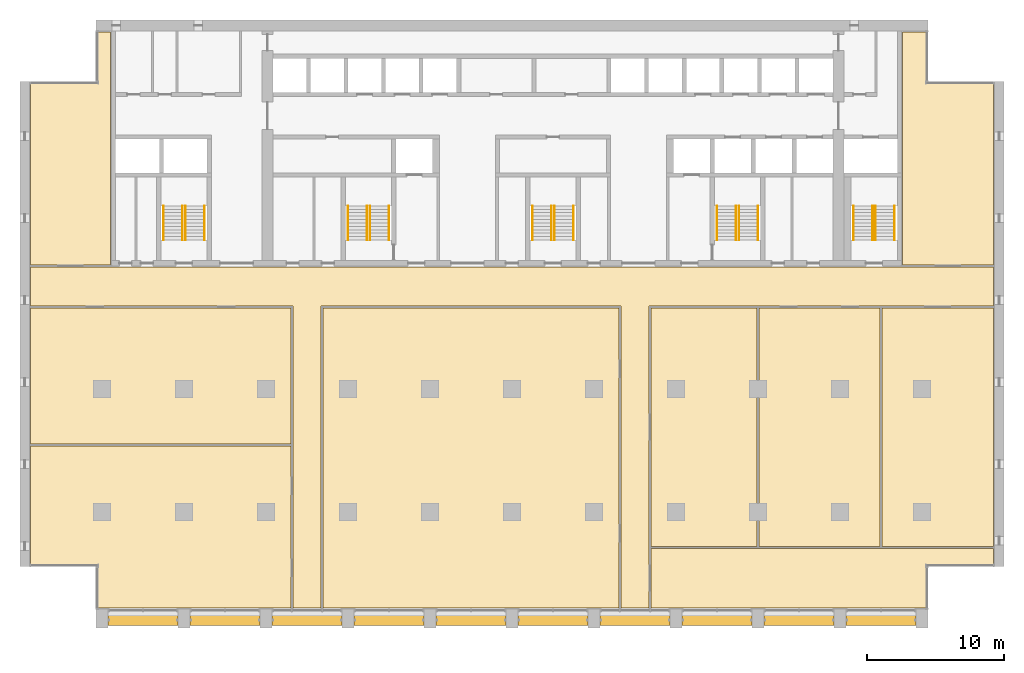
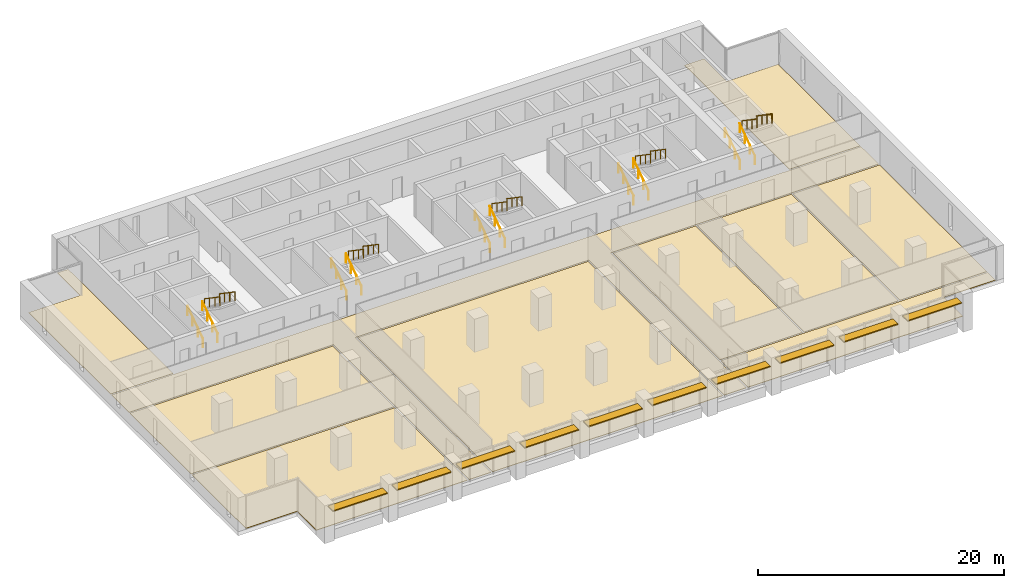
# One storey, part 15 of 15: 20 railings, 10 coverings, 10 shading devices, 5 elements without a shape of their own.
"""IFC4 building model written with IfcOpenShell, lengths in metres."""

import ifcopenshell
import ifcopenshell.guid

model = None  # the IFC model being written
_history = None  # IfcOwnerHistory: only IFC2X3 demands one
_inside = {}  # id of a spatial element -> (the spatial element, [elements in it])
_under = {}  # id of a project, library or spatial element -> (it, [spatial elements below it])
_declared = {}  # id of a project -> (the project, [libraries it declares])
_typed = {}  # id of a type object -> (the type object, [elements of that type])
_made_of = {}  # id of a material, layer set ... -> (it, [elements and type objects made of it])


def new_model(schema):
    """Start an empty IFC model of exactly this schema.

    Asked for "IFC4X3", IfcOpenShell would pick the latest addendum, in which some entities
    have other attributes; the version numbers below select the first issue.
    IFC2X3 requires an IfcOwnerHistory on every rooted entity: one is made here for all.
    """
    global model, _history
    if schema == "IFC4X3":
        model = ifcopenshell.file(schema_version=(4, 3, 0, 0))
    else:
        model = ifcopenshell.file(schema=schema)
    _inside.clear()
    _under.clear()
    _declared.clear()
    _typed.clear()
    _made_of.clear()
    _history = None
    if model.schema == "IFC2X3":
        org = make("IfcOrganization", Name="unknown")
        user = make(
            "IfcPersonAndOrganization",
            ThePerson=make("IfcPerson", FamilyName="unknown"),
            TheOrganization=org,
        )
        app = make(
            "IfcApplication",
            ApplicationDeveloper=org,
            Version="unknown",
            ApplicationFullName="unknown",
            ApplicationIdentifier="unknown",
        )
        _history = make(
            "IfcOwnerHistory",
            OwningUser=user,
            OwningApplication=app,
            ChangeAction="ADDED",
            CreationDate=0,
        )
    return model


def make(cls, **values):
    """One entity of the class cls with the attributes given. An attribute that is None is left unset."""
    return model.create_entity(
        cls, **{name: value for name, value in values.items() if value is not None}
    )


def rooted(cls, **values):
    """An entity with a GlobalId (a new one), such as an element, a storey or a relation."""
    return make(cls, GlobalId=ifcopenshell.guid.new(), OwnerHistory=_history, **values)


def si_unit(unit_type, name, prefix=None):
    """IfcSIUnit, for example si_unit("LENGTHUNIT", "METRE", prefix="MILLI")."""
    return make("IfcSIUnit", UnitType=unit_type, Prefix=prefix, Name=name)


def assignment(units):
    """IfcUnitAssignment: the units of a project."""
    return None if units is None else make("IfcUnitAssignment", Units=units)


def point(xyz):
    """IfcCartesianPoint."""
    return None if xyz is None else make("IfcCartesianPoint", Coordinates=xyz)


def direction(xyz):
    """IfcDirection."""
    return None if xyz is None else make("IfcDirection", DirectionRatios=xyz)


def frame(location, z_axis=None, x_axis=None):
    """IfcAxis2Placement3D, a coordinate frame: its origin and axes. An axis left out is left unset."""
    return make(
        "IfcAxis2Placement3D",
        Location=point(location),
        Axis=direction(z_axis),
        RefDirection=direction(x_axis),
    )


def frame_2d(location, x_axis=None):
    """IfcAxis2Placement2D, a coordinate frame in the plane: its origin and x axis."""
    return make(
        "IfcAxis2Placement2D", Location=point(location), RefDirection=direction(x_axis)
    )


def origin():
    """The frame at (0, 0, 0) with its axes left unset."""
    return frame((0.0, 0.0, 0.0))


def origin_2d():
    """The frame at (0, 0) in the plane with its x axis left unset."""
    return frame_2d((0.0, 0.0))


def place(relative_to, where):
    """IfcLocalPlacement: puts the frame where relative to a parent placement (None: the world)."""
    return make(
        "IfcLocalPlacement", PlacementRelTo=relative_to, RelativePlacement=where
    )


def context(
    kind, dimensions, precision=None, world=None, true_north=None, identifier=None
):
    """IfcGeometricRepresentationContext, for example the 3D "Model" context."""
    return make(
        "IfcGeometricRepresentationContext",
        ContextIdentifier=identifier,
        ContextType=kind,
        CoordinateSpaceDimension=dimensions,
        Precision=precision,
        WorldCoordinateSystem=world,
        TrueNorth=true_north,
    )


def subcontext(parent, identifier, kind, view, scale=None):
    """IfcGeometricRepresentationSubContext, for example "Body" below "Model"."""
    return make(
        "IfcGeometricRepresentationSubContext",
        ContextIdentifier=identifier,
        ContextType=kind,
        ParentContext=parent,
        TargetScale=scale,
        TargetView=view,
    )


def project(units=None, contexts=None):
    """IfcProject with its units and contexts."""
    return rooted(
        "IfcProject",
        Name="project",
        RepresentationContexts=contexts,
        UnitsInContext=assignment(units),
    )


def spatial(cls, under=None, at=None, **own):
    """A site, building, storey or space (cls), placed at a placement, below another one or the project."""
    s = rooted(cls, ObjectPlacement=at, **own)
    if under is not None:
        _under.setdefault(under.id(), (under, []))[1].append(s)
    return s


def polyline(points):
    """IfcPolyline through the points."""
    return make("IfcPolyline", Points=[point(p) for p in points])


def profile(cls, at=None, kind="AREA", **sizes):
    """A parametric profile (cls). Its sizes go by their IFC names, for example OverallWidth=200.0."""
    return make(cls, ProfileType=kind, Position=at, **sizes)


def rectangle(**sizes):
    """IfcRectangleProfileDef."""
    return profile("IfcRectangleProfileDef", **sizes)


def circle(**sizes):
    """IfcCircleProfileDef."""
    return profile("IfcCircleProfileDef", **sizes)


def outline(outer, holes=None, kind="AREA"):
    """IfcArbitraryClosedProfileDef: a profile drawn as a closed curve; with holes, ...WithVoids."""
    if holes is None:
        return make("IfcArbitraryClosedProfileDef", ProfileType=kind, OuterCurve=outer)
    return make(
        "IfcArbitraryProfileDefWithVoids",
        ProfileType=kind,
        OuterCurve=outer,
        InnerCurves=holes,
    )


def extrude(swept, where, along, depth):
    """IfcExtrudedAreaSolid: the profile swept, set in the frame where, extruded along a direction by depth."""
    return make(
        "IfcExtrudedAreaSolid",
        SweptArea=swept,
        Position=where,
        ExtrudedDirection=direction(along),
        Depth=depth,
    )


def shape(context_of_items, identifier, shape_type, items):
    """IfcShapeRepresentation: the items that make up one representation, for example the "Body"."""
    return make(
        "IfcShapeRepresentation",
        ContextOfItems=context_of_items,
        RepresentationIdentifier=identifier,
        RepresentationType=shape_type,
        Items=items,
    )


def material(Name=None, Category=None):
    """IfcMaterial."""
    return make("IfcMaterial", Name=Name, Category=Category)


def layer(
    of_material, thickness, ventilated=None, Name=None, Category=None, Priority=None
):
    """IfcMaterialLayer: one layer of a wall or slab, of a material (None: an air gap)."""
    return make(
        "IfcMaterialLayer",
        Material=of_material,
        LayerThickness=thickness,
        IsVentilated=ventilated,
        Name=Name,
        Category=Category,
        Priority=Priority,
    )


def layer_set(layers, Name=None):
    """IfcMaterialLayerSet."""
    return make("IfcMaterialLayerSet", MaterialLayers=layers, LayerSetName=Name)


def material_profile(
    of_material, cross_section, Name=None, Category=None, Priority=None
):
    """IfcMaterialProfile: a cross section and its material."""
    return make(
        "IfcMaterialProfile",
        Name=Name,
        Material=of_material,
        Profile=cross_section,
        Priority=Priority,
        Category=Category,
    )


def profile_set(profiles, Name=None, composite=None):
    """IfcMaterialProfileSet."""
    return make(
        "IfcMaterialProfileSet",
        Name=Name,
        MaterialProfiles=profiles,
        CompositeProfile=composite,
    )


def made_of(thing, what):
    """Note that an element or type object is made of a material, layer set ...; save() writes the relation."""
    if what is not None:
        _made_of.setdefault(what.id(), (what, []))[1].append(thing)
    return thing


def type_object(cls, material=None, **own):
    """A type object (cls), such as IfcWallType, which elements share."""
    return made_of(rooted(cls, **own), material)


def element(
    cls,
    number,
    at=None,
    inside=None,
    cuts=None,
    type_object=None,
    material=None,
    context=None,
    identifier="Body",
    shape_type=None,
    held_by="IfcProductDefinitionShape",
    body=None,
    shapes=None,
    **own,
):
    """One element of the class cls, such as IfcWall. Its Tag is "e" and its number.

    at: its placement. inside: the storey or other place that contains it. cuts: it is an
    opening in that element (IfcRelVoidsElement). A single representation is given by context,
    identifier, shape_type and body (its items); several are given by shapes. held_by: the class
    of the entity that holds the representations. save() writes the other relations.
    """
    e = rooted(cls, Tag="e%d" % number, ObjectPlacement=at, **own)
    if body is not None:
        shapes = [shape(context, identifier, shape_type, body)]
    if shapes is not None:
        e.Representation = make(held_by, Representations=shapes)
    if inside is not None:
        _inside.setdefault(inside.id(), (inside, []))[1].append(e)
    if cuts is not None:
        rooted(
            "IfcRelVoidsElement", RelatingBuildingElement=cuts, RelatedOpeningElement=e
        )
    if type_object is not None:
        _typed.setdefault(type_object.id(), (type_object, []))[1].append(e)
    return made_of(e, material)


def aggregate(whole, parts):
    """IfcRelAggregates: a whole, such as a stair, and the parts it consists of."""
    return rooted("IfcRelAggregates", RelatingObject=whole, RelatedObjects=parts)


def save(model, path):
    """Write the relations noted so far, then the file.

    IfcRelAggregates (storeys below a building ...), IfcRelContainedInSpatialStructure (elements
    in a storey), IfcRelDefinesByType, IfcRelAssociatesMaterial and IfcRelDeclares: one each for
    every whole, place, type object, material and project.
    """
    for whole, parts in _under.values():
        aggregate(whole, parts)
    for where, things in _inside.values():
        rooted(
            "IfcRelContainedInSpatialStructure",
            RelatedElements=things,
            RelatingStructure=where,
        )
    for kind, things in _typed.values():
        rooted("IfcRelDefinesByType", RelatedObjects=things, RelatingType=kind)
    for what, things in _made_of.values():
        rooted("IfcRelAssociatesMaterial", RelatedObjects=things, RelatingMaterial=what)
    for by, libraries in _declared.values():
        rooted("IfcRelDeclares", RelatingContext=by, RelatedDefinitions=libraries)
    model.write(path)


model = new_model("IFC4")

# Units and contexts
model_context = context("Model", 3, precision=1e-05, world=origin(), true_north=direction((0.0, 1.0)))
body_context = subcontext(model_context, "Body", "Model", "MODEL_VIEW")
ifc_project = project(units=[si_unit("LENGTHUNIT", "METRE"), si_unit("AREAUNIT", "SQUARE_METRE"), si_unit("VOLUMEUNIT", "CUBIC_METRE"), si_unit("PLANEANGLEUNIT", "RADIAN"), si_unit("MASSUNIT", "GRAM", prefix="KILO")], contexts=[model_context])

# Site, building, storey
site_placement = place(None, origin())
site = spatial("IfcSite", under=ifc_project, at=site_placement, CompositionType="ELEMENT")
building_placement = place(site_placement, origin())
building = spatial("IfcBuilding", under=site, at=building_placement, Name="Calvaro Tower", CompositionType="ELEMENT")
storey_placement = place(building_placement, frame((0.0, 0.0, 132.5)))
storey = spatial("IfcBuildingStorey", under=building, at=storey_placement, Name="L33", CompositionType="ELEMENT", Elevation=132.5)

# Shading devices
ifc_material_1 = material(Name="Anodised aluminium", Category="aluminium")
ifc_material_profile = material_profile(ifc_material_1, rectangle(XDim=0.800048828125, YDim=0.10009765625, at=origin_2d()), Name="Brise-soleil blade 800 x 100")
ifc_profile_set = profile_set([ifc_material_profile], Name="Anodised aluminium")
shading_device_type = type_object("IfcShadingDeviceType", Name="Brise-soleil blade 800 x 100", PredefinedType="JALOUSIE", material=ifc_profile_set)
for number, where, z_axis, x_axis, name in (
    (1, (6.449951171875, 2.10009765625, 2.39990234375), (1.0, 0.0, 0.0), (0.0, 1.0, 0.0), "Brise-soleil blade 1"),
    (2, (12.449951171875, 2.10009765625, 2.39990234375), (1.0, 0.0, 0.0), (0.0, 1.0, 0.0), "Brise-soleil blade 2"),
    (3, (18.449951171875, 2.10009765625, 2.39990234375), (1.0, 0.0, 0.0), (0.0, 1.0, 0.0), "Brise-soleil blade 3"),
    (4, (24.449951171875, 2.10009765625, 2.39990234375), (1.0, 0.0, 0.0), (0.0, 1.0, 0.0), "Brise-soleil blade 4"),
    (5, (30.449951171875, 2.10009765625, 2.39990234375), (1.0, 0.0, 0.0), (0.0, 1.0, 0.0), "Brise-soleil blade 5"),
    (6, (36.449951171875, 2.10009765625, 2.39990234375), (1.0, 0.0, 0.0), (0.0, 1.0, 0.0), "Brise-soleil blade 6"),
    (7, (42.449951171875, 2.10009765625, 2.39990234375), (1.0, 0.0, 0.0), (0.0, 1.0, 0.0), "Brise-soleil blade 7"),
    (8, (48.449951171875, 2.10009765625, 2.39990234375), (1.0, 0.0, 0.0), (0.0, 1.0, 0.0), "Brise-soleil blade 8"),
    (9, (54.449951171875, 2.10009765625, 2.39990234375), (1.0, 0.0, 0.0), (0.0, 1.0, 0.0), "Brise-soleil blade 9"),
    (10, (60.449951171875, 2.10009765625, 2.39990234375), (1.0, 0.0, 0.0), (0.0, 1.0, 0.0), "Brise-soleil blade 10"),
):
    element("IfcShadingDevice", number, at=place(storey_placement, frame(where, z_axis=z_axis, x_axis=x_axis)), inside=storey, type_object=shading_device_type, Name=name, PredefinedType="JALOUSIE", context=body_context, shape_type="SweptSolid", body=[
        extrude(rectangle(XDim=0.800048828125, YDim=0.10009765625, at=origin_2d()), origin(), (0.0, 0.0, 1.0), 5.10009765625),
    ])

# Coverings
ifc_material_2 = material(Name="Cement screed with carpet tile finish")
ifc_layer = layer(ifc_material_2, 0.050048828125)
ifc_layer_set = layer_set([ifc_layer], Name="Cement screed with carpet tile finish")
covering_type = type_object("IfcCoveringType", Name="Floor finish 50", PredefinedType="FLOORING", material=ifc_layer_set)
covering_1_placement = place(storey_placement, origin())
element("IfcCovering", 11, at=covering_1_placement, inside=storey, type_object=covering_type, Name="Floor finish 20.01", PredefinedType="FLOORING", context=body_context, shape_type="SweptSolid", body=[
    extrude(outline(polyline([(19.969970703125, 2.969970703125), (19.969970703125, 25.070068359375), (0.77001953125, 25.070068359375), (0.77001953125, 27.929931640625), (71.22998046875, 27.929931640625), (71.22998046875, 25.070068359375), (46.030029296875, 25.070068359375), (46.030029296875, 2.969970703125), (43.969970703125, 2.969970703125), (43.969970703125, 25.070068359375), (22.030029296875, 25.070068359375), (22.030029296875, 2.969970703125), (19.969970703125, 2.969970703125)])), origin(), (0.0, 0.0, 1.0), 0.050048828125),
])
covering_2_placement = place(storey_placement, origin())
element("IfcCovering", 12, at=covering_2_placement, inside=storey, type_object=covering_type, Name="Floor finish 20.03", PredefinedType="FLOORING", context=body_context, shape_type="SweptSolid", body=[
    extrude(outline(polyline([(19.830078125, 14.830078125), (19.830078125, 2.969970703125), (5.6201171875, 2.969970703125), (5.6201171875, 6.070068359375), (0.77001953125, 6.070068359375), (0.77001953125, 14.830078125), (19.830078125, 14.830078125)])), origin(), (0.0, 0.0, 1.0), 0.050048828125),
])
covering_3_placement = place(storey_placement, origin())
element("IfcCovering", 13, at=covering_3_placement, inside=storey, type_object=covering_type, Name="Floor finish 20.08", PredefinedType="FLOORING", context=body_context, shape_type="SweptSolid", body=[
    extrude(outline(polyline([(19.830078125, 24.929931640625), (19.830078125, 14.969970703125), (0.77001953125, 14.969970703125), (0.77001953125, 24.929931640625), (19.830078125, 24.929931640625)])), origin(), (0.0, 0.0, 1.0), 0.050048828125),
])
covering_4_placement = place(storey_placement, origin())
element("IfcCovering", 14, at=covering_4_placement, inside=storey, type_object=covering_type, Name="Floor finish 20.04", PredefinedType="FLOORING", context=body_context, shape_type="SweptSolid", body=[
    extrude(outline(polyline([(22.169921875, 24.929931640625), (43.830078125, 24.929931640625), (43.830078125, 2.969970703125), (22.169921875, 2.969970703125), (22.169921875, 24.929931640625)])), origin(), (0.0, 0.0, 1.0), 0.050048828125),
])
covering_5_placement = place(storey_placement, origin())
element("IfcCovering", 15, at=covering_5_placement, inside=storey, type_object=covering_type, Name="Floor finish 20.02", PredefinedType="FLOORING", context=body_context, shape_type="SweptSolid", body=[
    extrude(outline(polyline([(71.22998046875, 6.070068359375), (66.3798828125, 6.070068359375), (66.3798828125, 2.969970703125), (46.169921875, 2.969970703125), (46.169921875, 7.330078125), (71.22998046875, 7.330078125), (71.22998046875, 6.070068359375)])), origin(), (0.0, 0.0, 1.0), 0.050048828125),
])
covering_6_placement = place(storey_placement, origin())
element("IfcCovering", 16, at=covering_6_placement, inside=storey, type_object=covering_type, Name="Floor finish 20.05", PredefinedType="FLOORING", context=body_context, shape_type="SweptSolid", body=[
    extrude(outline(polyline([(46.169921875, 7.469970703125), (46.169921875, 24.929931640625), (53.929931640625, 24.929931640625), (53.929931640625, 7.469970703125), (46.169921875, 7.469970703125)])), origin(), (0.0, 0.0, 1.0), 0.050048828125),
])
covering_7_placement = place(storey_placement, origin())
element("IfcCovering", 17, at=covering_7_placement, inside=storey, type_object=covering_type, Name="Floor finish 20.06", PredefinedType="FLOORING", context=body_context, shape_type="SweptSolid", body=[
    extrude(outline(polyline([(54.070068359375, 7.469970703125), (54.070068359375, 24.929931640625), (62.929931640625, 24.929931640625), (62.929931640625, 7.469970703125), (54.070068359375, 7.469970703125)])), origin(), (0.0, 0.0, 1.0), 0.050048828125),
])
covering_8_placement = place(storey_placement, origin())
element("IfcCovering", 18, at=covering_8_placement, inside=storey, type_object=covering_type, Name="Floor finish 20.07", PredefinedType="FLOORING", context=body_context, shape_type="SweptSolid", body=[
    extrude(outline(polyline([(71.22998046875, 7.469970703125), (63.070068359375, 7.469970703125), (63.070068359375, 24.929931640625), (71.22998046875, 24.929931640625), (71.22998046875, 7.469970703125)])), origin(), (0.0, 0.0, 1.0), 0.050048828125),
])
covering_9_placement = place(storey_placement, origin())
element("IfcCovering", 19, at=covering_9_placement, inside=storey, type_object=covering_type, Name="Floor finish 20.09", PredefinedType="FLOORING", context=body_context, shape_type="SweptSolid", body=[
    extrude(outline(polyline([(6.6298828125, 28.070068359375), (0.77001953125, 28.070068359375), (0.77001953125, 41.429931640625), (5.6201171875, 41.429931640625), (5.6201171875, 45.1298828125), (6.6298828125, 45.1298828125), (6.6298828125, 28.070068359375)])), origin(), (0.0, 0.0, 1.0), 0.050048828125),
])
covering_10_placement = place(storey_placement, origin())
element("IfcCovering", 20, at=covering_10_placement, inside=storey, type_object=covering_type, Name="Floor finish 20.10", PredefinedType="FLOORING", context=body_context, shape_type="SweptSolid", body=[
    extrude(outline(polyline([(71.22998046875, 28.070068359375), (64.570068359375, 28.070068359375), (64.570068359375, 45.1298828125), (66.3798828125, 45.1298828125), (66.3798828125, 41.429931640625), (71.22998046875, 41.429931640625), (71.22998046875, 28.070068359375)])), origin(), (0.0, 0.0, 1.0), 0.050048828125),
])

# Stair, railings
ifc_material_3 = material(Name="Concrete C40/50", Category="concrete")
stair_type = type_object("IfcStairType", Name="Exit stair 1400 2 flights", PredefinedType="HALF_TURN_STAIR", material=ifc_material_3)
stair_1_placement = place(storey_placement, origin())
stair_1 = element("IfcStair", 21, at=stair_1_placement, inside=storey, type_object=stair_type, Name="Exit stair S1", PredefinedType="HALF_TURN_STAIR")
ifc_material_4 = material(Name="Stainless steel", Category="steel")
railing_type = type_object("IfcRailingType", Name="Stair handrail", PredefinedType="HANDRAIL", material=ifc_material_4)
railing_1_placement = place(storey_placement, frame((11.89990234375, 29.89990234375, 0.17041015625)))
railing_1 = element("IfcRailing", 22, at=railing_1_placement, type_object=railing_type, Name="Exit stair 1 handrail", PredefinedType="HANDRAIL", context=body_context, shape_type="SweptSolid", body=[
    extrude(circle(Radius=0.02392578125, at=origin_2d()), frame((0.0, 0.0, 0.8759765625), z_axis=(0.0, 0.826220514629, 0.563346839174), x_axis=(-1.0, 0.0, 0.0)), (0.0, 0.0, 1.0), 3.02587890625),
    extrude(circle(Radius=0.02099609375, at=origin_2d()), frame((0.0, 0.017333984375, 0.01171875)), (0.0, 0.0, 1.0), 0.851806640625),
    extrude(circle(Radius=0.02099609375, at=origin_2d()), frame((0.0, 0.833251953125, 0.568115234375)), (0.0, 0.0, 1.0), 0.851806640625),
    extrude(circle(Radius=0.02099609375, at=origin_2d()), frame((0.0, 1.666748046875, 1.136474609375)), (0.0, 0.0, 1.0), 0.851806640625),
    extrude(circle(Radius=0.02099609375, at=origin_2d()), frame((0.0, 2.482666015625, 1.69287109375)), (0.0, 0.0, 1.0), 0.851806640625),
])
railing_2_placement = place(storey_placement, frame((10.5, 29.89990234375, 0.17041015625)))
railing_2 = element("IfcRailing", 23, at=railing_2_placement, type_object=railing_type, Name="Exit stair 1 handrail", PredefinedType="HANDRAIL", context=body_context, shape_type="SweptSolid", body=[
    extrude(circle(Radius=0.02392578125, at=origin_2d()), frame((0.0, 0.0, 0.8759765625), z_axis=(0.0, 0.826220514629, 0.563346839174), x_axis=(-1.0, 0.0, 0.0)), (0.0, 0.0, 1.0), 3.02587890625),
    extrude(circle(Radius=0.02099609375, at=origin_2d()), frame((0.0, 0.017333984375, 0.01171875)), (0.0, 0.0, 1.0), 0.851806640625),
    extrude(circle(Radius=0.02099609375, at=origin_2d()), frame((0.0, 0.833251953125, 0.568115234375)), (0.0, 0.0, 1.0), 0.851806640625),
    extrude(circle(Radius=0.02099609375, at=origin_2d()), frame((0.0, 1.666748046875, 1.136474609375)), (0.0, 0.0, 1.0), 0.851806640625),
    extrude(circle(Radius=0.02099609375, at=origin_2d()), frame((0.0, 2.482666015625, 1.69287109375)), (0.0, 0.0, 1.0), 0.851806640625),
])
railing_3_placement = place(storey_placement, frame((12.10009765625, 32.39990234375, 2.04541015625)))
railing_3 = element("IfcRailing", 24, at=railing_3_placement, type_object=railing_type, Name="Exit stair 1 handrail", PredefinedType="HANDRAIL", context=body_context, shape_type="SweptSolid", body=[
    extrude(circle(Radius=0.02392578125, at=origin_2d()), frame((0.0, 0.0, 0.8759765625), z_axis=(0.0, -0.826220514629, 0.563346839174), x_axis=(1.0, 0.0, 0.0)), (0.0, 0.0, 1.0), 3.02587890625),
    extrude(circle(Radius=0.02099609375, at=origin_2d()), frame((0.0, -0.017333984375, 0.01171875)), (0.0, 0.0, 1.0), 0.851806640625),
    extrude(circle(Radius=0.02099609375, at=origin_2d()), frame((0.0, -0.833251953125, 0.568115234375)), (0.0, 0.0, 1.0), 0.851806640625),
    extrude(circle(Radius=0.02099609375, at=origin_2d()), frame((0.0, -1.666748046875, 1.136474609375)), (0.0, 0.0, 1.0), 0.851806640625),
    extrude(circle(Radius=0.02099609375, at=origin_2d()), frame((0.0, -2.482666015625, 1.69287109375)), (0.0, 0.0, 1.0), 0.851806640625),
])
railing_4_placement = place(storey_placement, frame((13.5, 32.39990234375, 2.04541015625)))
railing_4 = element("IfcRailing", 25, at=railing_4_placement, type_object=railing_type, Name="Exit stair 1 handrail", PredefinedType="HANDRAIL", context=body_context, shape_type="SweptSolid", body=[
    extrude(circle(Radius=0.02392578125, at=origin_2d()), frame((0.0, 0.0, 0.8759765625), z_axis=(0.0, -0.826220514629, 0.563346839174), x_axis=(1.0, 0.0, 0.0)), (0.0, 0.0, 1.0), 3.02587890625),
    extrude(circle(Radius=0.02099609375, at=origin_2d()), frame((0.0, -0.017333984375, 0.01171875)), (0.0, 0.0, 1.0), 0.851806640625),
    extrude(circle(Radius=0.02099609375, at=origin_2d()), frame((0.0, -0.833251953125, 0.568115234375)), (0.0, 0.0, 1.0), 0.851806640625),
    extrude(circle(Radius=0.02099609375, at=origin_2d()), frame((0.0, -1.666748046875, 1.136474609375)), (0.0, 0.0, 1.0), 0.851806640625),
    extrude(circle(Radius=0.02099609375, at=origin_2d()), frame((0.0, -2.482666015625, 1.69287109375)), (0.0, 0.0, 1.0), 0.851806640625),
])
aggregate(stair_1, [railing_1, railing_2, railing_3, railing_4])

stair_2_placement = place(storey_placement, origin())
stair_2 = element("IfcStair", 26, at=stair_2_placement, inside=storey, type_object=stair_type, Name="Exit stair S2", PredefinedType="HALF_TURN_STAIR")
railing_5_placement = place(storey_placement, frame((25.39990234375, 29.89990234375, 0.17041015625)))
railing_5 = element("IfcRailing", 27, at=railing_5_placement, type_object=railing_type, Name="Exit stair 2 handrail", PredefinedType="HANDRAIL", context=body_context, shape_type="SweptSolid", body=[
    extrude(circle(Radius=0.02392578125, at=origin_2d()), frame((0.0, 0.0, 0.8759765625), z_axis=(0.0, 0.826220514629, 0.563346839174), x_axis=(-1.0, 0.0, 0.0)), (0.0, 0.0, 1.0), 3.02587890625),
    extrude(circle(Radius=0.02099609375, at=origin_2d()), frame((0.0, 0.017333984375, 0.01171875)), (0.0, 0.0, 1.0), 0.851806640625),
    extrude(circle(Radius=0.02099609375, at=origin_2d()), frame((0.0, 0.833251953125, 0.568115234375)), (0.0, 0.0, 1.0), 0.851806640625),
    extrude(circle(Radius=0.02099609375, at=origin_2d()), frame((0.0, 1.666748046875, 1.136474609375)), (0.0, 0.0, 1.0), 0.851806640625),
    extrude(circle(Radius=0.02099609375, at=origin_2d()), frame((0.0, 2.482666015625, 1.69287109375)), (0.0, 0.0, 1.0), 0.851806640625),
])
railing_6_placement = place(storey_placement, frame((24.0, 29.89990234375, 0.17041015625)))
railing_6 = element("IfcRailing", 28, at=railing_6_placement, type_object=railing_type, Name="Exit stair 2 handrail", PredefinedType="HANDRAIL", context=body_context, shape_type="SweptSolid", body=[
    extrude(circle(Radius=0.02392578125, at=origin_2d()), frame((0.0, 0.0, 0.8759765625), z_axis=(0.0, 0.826220514629, 0.563346839174), x_axis=(-1.0, 0.0, 0.0)), (0.0, 0.0, 1.0), 3.02587890625),
    extrude(circle(Radius=0.02099609375, at=origin_2d()), frame((0.0, 0.017333984375, 0.01171875)), (0.0, 0.0, 1.0), 0.851806640625),
    extrude(circle(Radius=0.02099609375, at=origin_2d()), frame((0.0, 0.833251953125, 0.568115234375)), (0.0, 0.0, 1.0), 0.851806640625),
    extrude(circle(Radius=0.02099609375, at=origin_2d()), frame((0.0, 1.666748046875, 1.136474609375)), (0.0, 0.0, 1.0), 0.851806640625),
    extrude(circle(Radius=0.02099609375, at=origin_2d()), frame((0.0, 2.482666015625, 1.69287109375)), (0.0, 0.0, 1.0), 0.851806640625),
])
railing_7_placement = place(storey_placement, frame((25.60009765625, 32.39990234375, 2.04541015625)))
railing_7 = element("IfcRailing", 29, at=railing_7_placement, type_object=railing_type, Name="Exit stair 2 handrail", PredefinedType="HANDRAIL", context=body_context, shape_type="SweptSolid", body=[
    extrude(circle(Radius=0.02392578125, at=origin_2d()), frame((0.0, 0.0, 0.8759765625), z_axis=(0.0, -0.826220514629, 0.563346839174), x_axis=(1.0, 0.0, 0.0)), (0.0, 0.0, 1.0), 3.02587890625),
    extrude(circle(Radius=0.02099609375, at=origin_2d()), frame((0.0, -0.017333984375, 0.01171875)), (0.0, 0.0, 1.0), 0.851806640625),
    extrude(circle(Radius=0.02099609375, at=origin_2d()), frame((0.0, -0.833251953125, 0.568115234375)), (0.0, 0.0, 1.0), 0.851806640625),
    extrude(circle(Radius=0.02099609375, at=origin_2d()), frame((0.0, -1.666748046875, 1.136474609375)), (0.0, 0.0, 1.0), 0.851806640625),
    extrude(circle(Radius=0.02099609375, at=origin_2d()), frame((0.0, -2.482666015625, 1.69287109375)), (0.0, 0.0, 1.0), 0.851806640625),
])
railing_8_placement = place(storey_placement, frame((27.0, 32.39990234375, 2.04541015625)))
railing_8 = element("IfcRailing", 30, at=railing_8_placement, type_object=railing_type, Name="Exit stair 2 handrail", PredefinedType="HANDRAIL", context=body_context, shape_type="SweptSolid", body=[
    extrude(circle(Radius=0.02392578125, at=origin_2d()), frame((0.0, 0.0, 0.8759765625), z_axis=(0.0, -0.826220514629, 0.563346839174), x_axis=(1.0, 0.0, 0.0)), (0.0, 0.0, 1.0), 3.02587890625),
    extrude(circle(Radius=0.02099609375, at=origin_2d()), frame((0.0, -0.017333984375, 0.01171875)), (0.0, 0.0, 1.0), 0.851806640625),
    extrude(circle(Radius=0.02099609375, at=origin_2d()), frame((0.0, -0.833251953125, 0.568115234375)), (0.0, 0.0, 1.0), 0.851806640625),
    extrude(circle(Radius=0.02099609375, at=origin_2d()), frame((0.0, -1.666748046875, 1.136474609375)), (0.0, 0.0, 1.0), 0.851806640625),
    extrude(circle(Radius=0.02099609375, at=origin_2d()), frame((0.0, -2.482666015625, 1.69287109375)), (0.0, 0.0, 1.0), 0.851806640625),
])
aggregate(stair_2, [railing_5, railing_6, railing_7, railing_8])

stair_3_placement = place(storey_placement, origin())
stair_3 = element("IfcStair", 31, at=stair_3_placement, inside=storey, type_object=stair_type, Name="Exit stair S3", PredefinedType="HALF_TURN_STAIR")
railing_9_placement = place(storey_placement, frame((38.89990234375, 29.89990234375, 0.17041015625)))
railing_9 = element("IfcRailing", 32, at=railing_9_placement, type_object=railing_type, Name="Exit stair 3 handrail", PredefinedType="HANDRAIL", context=body_context, shape_type="SweptSolid", body=[
    extrude(circle(Radius=0.02392578125, at=origin_2d()), frame((0.0, 0.0, 0.8759765625), z_axis=(0.0, 0.826220514629, 0.563346839174), x_axis=(-1.0, 0.0, 0.0)), (0.0, 0.0, 1.0), 3.02587890625),
    extrude(circle(Radius=0.02099609375, at=origin_2d()), frame((0.0, 0.017333984375, 0.01171875)), (0.0, 0.0, 1.0), 0.851806640625),
    extrude(circle(Radius=0.02099609375, at=origin_2d()), frame((0.0, 0.833251953125, 0.568115234375)), (0.0, 0.0, 1.0), 0.851806640625),
    extrude(circle(Radius=0.02099609375, at=origin_2d()), frame((0.0, 1.666748046875, 1.136474609375)), (0.0, 0.0, 1.0), 0.851806640625),
    extrude(circle(Radius=0.02099609375, at=origin_2d()), frame((0.0, 2.482666015625, 1.69287109375)), (0.0, 0.0, 1.0), 0.851806640625),
])
railing_10_placement = place(storey_placement, frame((37.5, 29.89990234375, 0.17041015625)))
railing_10 = element("IfcRailing", 33, at=railing_10_placement, type_object=railing_type, Name="Exit stair 3 handrail", PredefinedType="HANDRAIL", context=body_context, shape_type="SweptSolid", body=[
    extrude(circle(Radius=0.02392578125, at=origin_2d()), frame((0.0, 0.0, 0.8759765625), z_axis=(0.0, 0.826220514629, 0.563346839174), x_axis=(-1.0, 0.0, 0.0)), (0.0, 0.0, 1.0), 3.02587890625),
    extrude(circle(Radius=0.02099609375, at=origin_2d()), frame((0.0, 0.017333984375, 0.01171875)), (0.0, 0.0, 1.0), 0.851806640625),
    extrude(circle(Radius=0.02099609375, at=origin_2d()), frame((0.0, 0.833251953125, 0.568115234375)), (0.0, 0.0, 1.0), 0.851806640625),
    extrude(circle(Radius=0.02099609375, at=origin_2d()), frame((0.0, 1.666748046875, 1.136474609375)), (0.0, 0.0, 1.0), 0.851806640625),
    extrude(circle(Radius=0.02099609375, at=origin_2d()), frame((0.0, 2.482666015625, 1.69287109375)), (0.0, 0.0, 1.0), 0.851806640625),
])
railing_11_placement = place(storey_placement, frame((39.10009765625, 32.39990234375, 2.04541015625)))
railing_11 = element("IfcRailing", 34, at=railing_11_placement, type_object=railing_type, Name="Exit stair 3 handrail", PredefinedType="HANDRAIL", context=body_context, shape_type="SweptSolid", body=[
    extrude(circle(Radius=0.02392578125, at=origin_2d()), frame((0.0, 0.0, 0.8759765625), z_axis=(0.0, -0.826220514629, 0.563346839174), x_axis=(1.0, 0.0, 0.0)), (0.0, 0.0, 1.0), 3.02587890625),
    extrude(circle(Radius=0.02099609375, at=origin_2d()), frame((0.0, -0.017333984375, 0.01171875)), (0.0, 0.0, 1.0), 0.851806640625),
    extrude(circle(Radius=0.02099609375, at=origin_2d()), frame((0.0, -0.833251953125, 0.568115234375)), (0.0, 0.0, 1.0), 0.851806640625),
    extrude(circle(Radius=0.02099609375, at=origin_2d()), frame((0.0, -1.666748046875, 1.136474609375)), (0.0, 0.0, 1.0), 0.851806640625),
    extrude(circle(Radius=0.02099609375, at=origin_2d()), frame((0.0, -2.482666015625, 1.69287109375)), (0.0, 0.0, 1.0), 0.851806640625),
])
railing_12_placement = place(storey_placement, frame((40.5, 32.39990234375, 2.04541015625)))
railing_12 = element("IfcRailing", 35, at=railing_12_placement, type_object=railing_type, Name="Exit stair 3 handrail", PredefinedType="HANDRAIL", context=body_context, shape_type="SweptSolid", body=[
    extrude(circle(Radius=0.02392578125, at=origin_2d()), frame((0.0, 0.0, 0.8759765625), z_axis=(0.0, -0.826220514629, 0.563346839174), x_axis=(1.0, 0.0, 0.0)), (0.0, 0.0, 1.0), 3.02587890625),
    extrude(circle(Radius=0.02099609375, at=origin_2d()), frame((0.0, -0.017333984375, 0.01171875)), (0.0, 0.0, 1.0), 0.851806640625),
    extrude(circle(Radius=0.02099609375, at=origin_2d()), frame((0.0, -0.833251953125, 0.568115234375)), (0.0, 0.0, 1.0), 0.851806640625),
    extrude(circle(Radius=0.02099609375, at=origin_2d()), frame((0.0, -1.666748046875, 1.136474609375)), (0.0, 0.0, 1.0), 0.851806640625),
    extrude(circle(Radius=0.02099609375, at=origin_2d()), frame((0.0, -2.482666015625, 1.69287109375)), (0.0, 0.0, 1.0), 0.851806640625),
])
aggregate(stair_3, [railing_9, railing_10, railing_11, railing_12])

stair_4_placement = place(storey_placement, origin())
stair_4 = element("IfcStair", 36, at=stair_4_placement, inside=storey, type_object=stair_type, Name="Exit stair S4", PredefinedType="HALF_TURN_STAIR")
railing_13_placement = place(storey_placement, frame((52.39990234375, 29.89990234375, 0.17041015625)))
railing_13 = element("IfcRailing", 37, at=railing_13_placement, type_object=railing_type, Name="Exit stair 4 handrail", PredefinedType="HANDRAIL", context=body_context, shape_type="SweptSolid", body=[
    extrude(circle(Radius=0.02392578125, at=origin_2d()), frame((0.0, 0.0, 0.8759765625), z_axis=(0.0, 0.826220514629, 0.563346839174), x_axis=(-1.0, 0.0, 0.0)), (0.0, 0.0, 1.0), 3.02587890625),
    extrude(circle(Radius=0.02099609375, at=origin_2d()), frame((0.0, 0.017333984375, 0.01171875)), (0.0, 0.0, 1.0), 0.851806640625),
    extrude(circle(Radius=0.02099609375, at=origin_2d()), frame((0.0, 0.833251953125, 0.568115234375)), (0.0, 0.0, 1.0), 0.851806640625),
    extrude(circle(Radius=0.02099609375, at=origin_2d()), frame((0.0, 1.666748046875, 1.136474609375)), (0.0, 0.0, 1.0), 0.851806640625),
    extrude(circle(Radius=0.02099609375, at=origin_2d()), frame((0.0, 2.482666015625, 1.69287109375)), (0.0, 0.0, 1.0), 0.851806640625),
])
railing_14_placement = place(storey_placement, frame((51.0, 29.89990234375, 0.17041015625)))
railing_14 = element("IfcRailing", 38, at=railing_14_placement, type_object=railing_type, Name="Exit stair 4 handrail", PredefinedType="HANDRAIL", context=body_context, shape_type="SweptSolid", body=[
    extrude(circle(Radius=0.02392578125, at=origin_2d()), frame((0.0, 0.0, 0.8759765625), z_axis=(0.0, 0.826220514629, 0.563346839174), x_axis=(-1.0, 0.0, 0.0)), (0.0, 0.0, 1.0), 3.02587890625),
    extrude(circle(Radius=0.02099609375, at=origin_2d()), frame((0.0, 0.017333984375, 0.01171875)), (0.0, 0.0, 1.0), 0.851806640625),
    extrude(circle(Radius=0.02099609375, at=origin_2d()), frame((0.0, 0.833251953125, 0.568115234375)), (0.0, 0.0, 1.0), 0.851806640625),
    extrude(circle(Radius=0.02099609375, at=origin_2d()), frame((0.0, 1.666748046875, 1.136474609375)), (0.0, 0.0, 1.0), 0.851806640625),
    extrude(circle(Radius=0.02099609375, at=origin_2d()), frame((0.0, 2.482666015625, 1.69287109375)), (0.0, 0.0, 1.0), 0.851806640625),
])
railing_15_placement = place(storey_placement, frame((52.60009765625, 32.39990234375, 2.04541015625)))
railing_15 = element("IfcRailing", 39, at=railing_15_placement, type_object=railing_type, Name="Exit stair 4 handrail", PredefinedType="HANDRAIL", context=body_context, shape_type="SweptSolid", body=[
    extrude(circle(Radius=0.02392578125, at=origin_2d()), frame((0.0, 0.0, 0.8759765625), z_axis=(0.0, -0.826220514629, 0.563346839174), x_axis=(1.0, 0.0, 0.0)), (0.0, 0.0, 1.0), 3.02587890625),
    extrude(circle(Radius=0.02099609375, at=origin_2d()), frame((0.0, -0.017333984375, 0.01171875)), (0.0, 0.0, 1.0), 0.851806640625),
    extrude(circle(Radius=0.02099609375, at=origin_2d()), frame((0.0, -0.833251953125, 0.568115234375)), (0.0, 0.0, 1.0), 0.851806640625),
    extrude(circle(Radius=0.02099609375, at=origin_2d()), frame((0.0, -1.666748046875, 1.136474609375)), (0.0, 0.0, 1.0), 0.851806640625),
    extrude(circle(Radius=0.02099609375, at=origin_2d()), frame((0.0, -2.482666015625, 1.69287109375)), (0.0, 0.0, 1.0), 0.851806640625),
])
railing_16_placement = place(storey_placement, frame((54.0, 32.39990234375, 2.04541015625)))
railing_16 = element("IfcRailing", 40, at=railing_16_placement, type_object=railing_type, Name="Exit stair 4 handrail", PredefinedType="HANDRAIL", context=body_context, shape_type="SweptSolid", body=[
    extrude(circle(Radius=0.02392578125, at=origin_2d()), frame((0.0, 0.0, 0.8759765625), z_axis=(0.0, -0.826220514629, 0.563346839174), x_axis=(1.0, 0.0, 0.0)), (0.0, 0.0, 1.0), 3.02587890625),
    extrude(circle(Radius=0.02099609375, at=origin_2d()), frame((0.0, -0.017333984375, 0.01171875)), (0.0, 0.0, 1.0), 0.851806640625),
    extrude(circle(Radius=0.02099609375, at=origin_2d()), frame((0.0, -0.833251953125, 0.568115234375)), (0.0, 0.0, 1.0), 0.851806640625),
    extrude(circle(Radius=0.02099609375, at=origin_2d()), frame((0.0, -1.666748046875, 1.136474609375)), (0.0, 0.0, 1.0), 0.851806640625),
    extrude(circle(Radius=0.02099609375, at=origin_2d()), frame((0.0, -2.482666015625, 1.69287109375)), (0.0, 0.0, 1.0), 0.851806640625),
])
aggregate(stair_4, [railing_13, railing_14, railing_15, railing_16])

stair_5_placement = place(storey_placement, origin())
stair_5 = element("IfcStair", 41, at=stair_5_placement, inside=storey, type_object=stair_type, Name="Exit stair S5", PredefinedType="HALF_TURN_STAIR")
railing_17_placement = place(storey_placement, frame((62.39990234375, 29.89990234375, 0.17041015625)))
railing_17 = element("IfcRailing", 42, at=railing_17_placement, type_object=railing_type, Name="Exit stair 5 handrail", PredefinedType="HANDRAIL", context=body_context, shape_type="SweptSolid", body=[
    extrude(circle(Radius=0.02392578125, at=origin_2d()), frame((0.0, 0.0, 0.8759765625), z_axis=(0.0, 0.826220514629, 0.563346839174), x_axis=(-1.0, 0.0, 0.0)), (0.0, 0.0, 1.0), 3.02587890625),
    extrude(circle(Radius=0.02099609375, at=origin_2d()), frame((0.0, 0.017333984375, 0.01171875)), (0.0, 0.0, 1.0), 0.851806640625),
    extrude(circle(Radius=0.02099609375, at=origin_2d()), frame((0.0, 0.833251953125, 0.568115234375)), (0.0, 0.0, 1.0), 0.851806640625),
    extrude(circle(Radius=0.02099609375, at=origin_2d()), frame((0.0, 1.666748046875, 1.136474609375)), (0.0, 0.0, 1.0), 0.851806640625),
    extrude(circle(Radius=0.02099609375, at=origin_2d()), frame((0.0, 2.482666015625, 1.69287109375)), (0.0, 0.0, 1.0), 0.851806640625),
])
railing_18_placement = place(storey_placement, frame((61.0, 29.89990234375, 0.17041015625)))
railing_18 = element("IfcRailing", 43, at=railing_18_placement, type_object=railing_type, Name="Exit stair 5 handrail", PredefinedType="HANDRAIL", context=body_context, shape_type="SweptSolid", body=[
    extrude(circle(Radius=0.02392578125, at=origin_2d()), frame((0.0, 0.0, 0.8759765625), z_axis=(0.0, 0.826220514629, 0.563346839174), x_axis=(-1.0, 0.0, 0.0)), (0.0, 0.0, 1.0), 3.02587890625),
    extrude(circle(Radius=0.02099609375, at=origin_2d()), frame((0.0, 0.017333984375, 0.01171875)), (0.0, 0.0, 1.0), 0.851806640625),
    extrude(circle(Radius=0.02099609375, at=origin_2d()), frame((0.0, 0.833251953125, 0.568115234375)), (0.0, 0.0, 1.0), 0.851806640625),
    extrude(circle(Radius=0.02099609375, at=origin_2d()), frame((0.0, 1.666748046875, 1.136474609375)), (0.0, 0.0, 1.0), 0.851806640625),
    extrude(circle(Radius=0.02099609375, at=origin_2d()), frame((0.0, 2.482666015625, 1.69287109375)), (0.0, 0.0, 1.0), 0.851806640625),
])
railing_19_placement = place(storey_placement, frame((62.60009765625, 32.39990234375, 2.04541015625)))
railing_19 = element("IfcRailing", 44, at=railing_19_placement, type_object=railing_type, Name="Exit stair 5 handrail", PredefinedType="HANDRAIL", context=body_context, shape_type="SweptSolid", body=[
    extrude(circle(Radius=0.02392578125, at=origin_2d()), frame((0.0, 0.0, 0.8759765625), z_axis=(0.0, -0.826220514629, 0.563346839174), x_axis=(1.0, 0.0, 0.0)), (0.0, 0.0, 1.0), 3.02587890625),
    extrude(circle(Radius=0.02099609375, at=origin_2d()), frame((0.0, -0.017333984375, 0.01171875)), (0.0, 0.0, 1.0), 0.851806640625),
    extrude(circle(Radius=0.02099609375, at=origin_2d()), frame((0.0, -0.833251953125, 0.568115234375)), (0.0, 0.0, 1.0), 0.851806640625),
    extrude(circle(Radius=0.02099609375, at=origin_2d()), frame((0.0, -1.666748046875, 1.136474609375)), (0.0, 0.0, 1.0), 0.851806640625),
    extrude(circle(Radius=0.02099609375, at=origin_2d()), frame((0.0, -2.482666015625, 1.69287109375)), (0.0, 0.0, 1.0), 0.851806640625),
])
railing_20_placement = place(storey_placement, frame((64.0, 32.39990234375, 2.04541015625)))
railing_20 = element("IfcRailing", 45, at=railing_20_placement, type_object=railing_type, Name="Exit stair 5 handrail", PredefinedType="HANDRAIL", context=body_context, shape_type="SweptSolid", body=[
    extrude(circle(Radius=0.02392578125, at=origin_2d()), frame((0.0, 0.0, 0.8759765625), z_axis=(0.0, -0.826220514629, 0.563346839174), x_axis=(1.0, 0.0, 0.0)), (0.0, 0.0, 1.0), 3.02587890625),
    extrude(circle(Radius=0.02099609375, at=origin_2d()), frame((0.0, -0.017333984375, 0.01171875)), (0.0, 0.0, 1.0), 0.851806640625),
    extrude(circle(Radius=0.02099609375, at=origin_2d()), frame((0.0, -0.833251953125, 0.568115234375)), (0.0, 0.0, 1.0), 0.851806640625),
    extrude(circle(Radius=0.02099609375, at=origin_2d()), frame((0.0, -1.666748046875, 1.136474609375)), (0.0, 0.0, 1.0), 0.851806640625),
    extrude(circle(Radius=0.02099609375, at=origin_2d()), frame((0.0, -2.482666015625, 1.69287109375)), (0.0, 0.0, 1.0), 0.851806640625),
])
aggregate(stair_5, [railing_17, railing_18, railing_19, railing_20])

save(model, "model.ifc")
